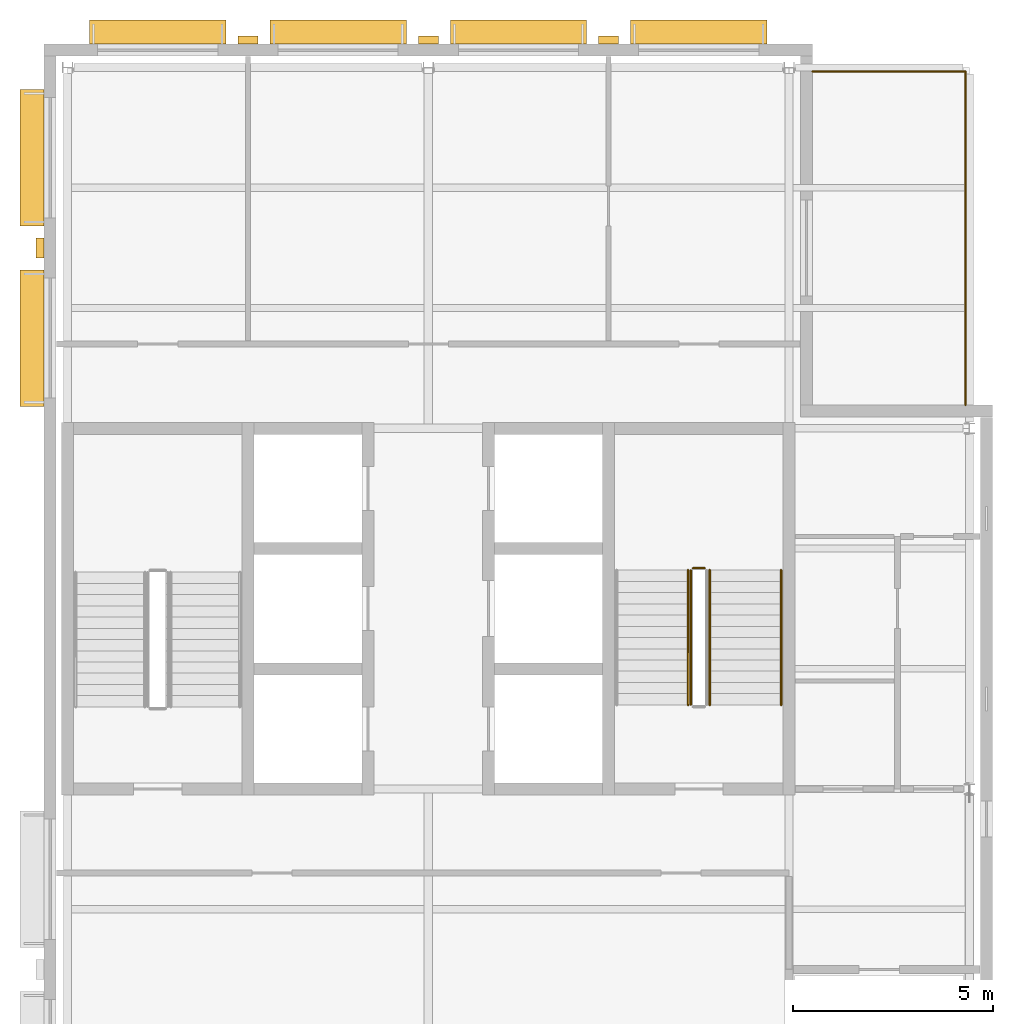
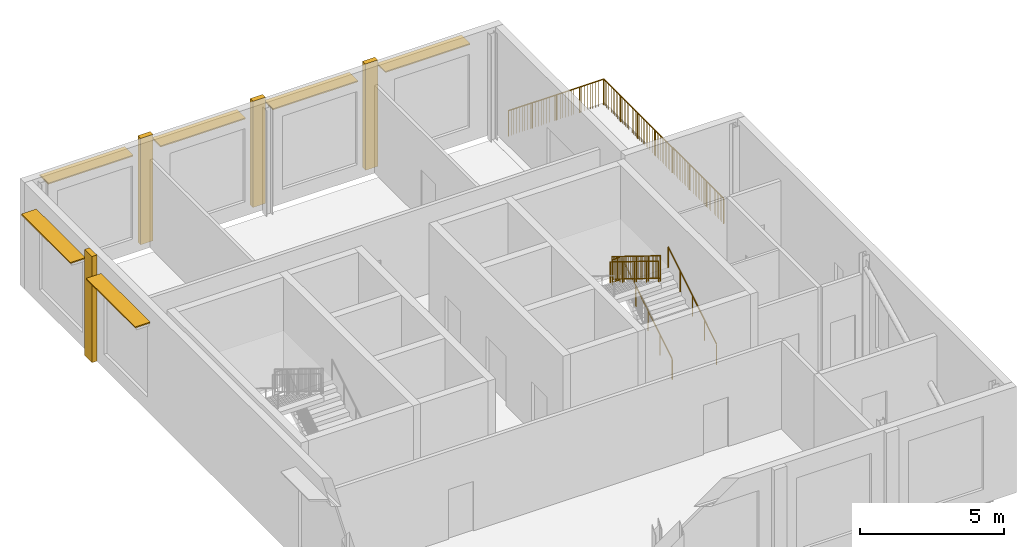
# One storey, part 5 of 5: 6 railings, 6 shading devices, 4 coverings.
"""IFC4 building model written with IfcOpenShell, lengths in metres."""

from ifc_helpers import new_model, si_unit, direction, frame, origin, origin_2d, place, context, subcontext, project, spatial, rectangle, circle, extrude, material, layer, layer_set, type_object, element, save


model = new_model("IFC4")

# Units and contexts
model_context = context("Model", 3, precision=1e-05, world=origin(), true_north=direction((0.0, 1.0)))
body_context = subcontext(model_context, "Body", "Model", "MODEL_VIEW")
ifc_project = project(units=[si_unit("LENGTHUNIT", "METRE"), si_unit("AREAUNIT", "SQUARE_METRE"), si_unit("VOLUMEUNIT", "CUBIC_METRE"), si_unit("PLANEANGLEUNIT", "RADIAN"), si_unit("MASSUNIT", "GRAM", prefix="KILO")], contexts=[model_context])

# Site, building, storey
site_placement = place(None, origin())
site = spatial("IfcSite", under=ifc_project, at=site_placement, CompositionType="ELEMENT")
building_placement = place(site_placement, origin())
building = spatial("IfcBuilding", under=site, at=building_placement, Name="Hortulan Conservatory and Botanical Research Centre", CompositionType="ELEMENT")
storey_placement = place(building_placement, frame((0.0, 0.0, 65.39990234375)))
storey = spatial("IfcBuildingStorey", under=building, at=storey_placement, Name="L15", CompositionType="ELEMENT", Elevation=65.39990234375)

# Shading devices
ifc_material_1 = material(Name="Bronze-finished perforated aluminium", Category="aluminium")
ifc_layer_1 = layer(ifc_material_1, 0.050048828125)
ifc_layer_set_1 = layer_set([ifc_layer_1], Name="Brise-soleil Blade 600x50")
shading_device_type = type_object("IfcShadingDeviceType", Name="Brise-soleil Blade 600x50", PredefinedType="USERDEFINED", material=ifc_layer_set_1)
for number, where, z_axis, x_axis, name in (
    (1, (8.114013671875, 20.25, 3.85009765625), (0.0, 0.0, 1.0), (0.0, 1.0, 0.0), "Brise-soleil blade"),
    (2, (8.114013671875, 24.75, 3.85009765625), (0.0, 0.0, 1.0), (0.0, 1.0, 0.0), "Brise-soleil blade"),
    (3, (11.25, 27.885986328125, 3.85009765625), (0.0, 0.0, 1.0), (1.0, 0.0, 0.0), "Brise-soleil blade"),
    (4, (15.75, 27.885986328125, 3.85009765625), (0.0, 0.0, 1.0), (1.0, 0.0, 0.0), "Brise-soleil blade"),
    (5, (20.25, 27.885986328125, 3.85009765625), (0.0, 0.0, 1.0), (1.0, 0.0, 0.0), "Brise-soleil blade"),
    (6, (24.75, 27.885986328125, 3.85009765625), (0.0, 0.0, 1.0), (1.0, 0.0, 0.0), "Brise-soleil blade"),
):
    element("IfcShadingDevice", number, at=place(storey_placement, frame(where, z_axis=z_axis, x_axis=x_axis)), inside=storey, type_object=shading_device_type, Name=name, ObjectType="Brise-soleil blade", PredefinedType="USERDEFINED", context=body_context, shape_type="SweptSolid", body=[
        extrude(rectangle(XDim=3.39990234375, YDim=0.60009765625, at=origin_2d()), origin(), (0.0, 0.0, 1.0), 0.050048828125),
    ])

# Railings
ifc_material_2 = material(Name="Steel balustrade, bronze-charcoal paint", Category="steel")
railing_type_1 = type_object("IfcRailingType", Name="Stair Guard 1100", PredefinedType="GUARDRAIL", material=ifc_material_2)
railing_1_placement = place(storey_placement, frame((24.89990234375, 14.510009765625, 2.25)))
element("IfcRailing", 7, at=railing_1_placement, inside=storey, type_object=railing_type_1, Name="Guard T2 L15 stair 2", PredefinedType="GUARDRAIL", context=body_context, shape_type="SweptSolid", body=[
    extrude(circle(Radius=0.02392578125, at=origin_2d()), frame((0.0, 0.0, 1.076171875), z_axis=(-1.0, 0.0, 0.0), x_axis=(0.0, -1.0, 0.0)), (0.0, 0.0, 1.0), 0.2998046875),
    extrude(circle(Radius=0.02392578125, at=origin_2d()), frame((0.0, 0.0, 0.1240234375), z_axis=(-1.0, 0.0, 0.0), x_axis=(0.0, -1.0, 0.0)), (0.0, 0.0, 1.0), 0.2998046875),
    extrude(circle(Radius=0.008056640625, at=origin_2d()), frame((-0.099853515625, 0.0, 0.148193359375)), (0.0, 0.0, 1.0), 0.90380859375),
    extrude(circle(Radius=0.008056640625, at=origin_2d()), frame((-0.199951171875, 0.0, 0.148193359375)), (0.0, 0.0, 1.0), 0.90380859375),
    extrude(circle(Radius=0.02099609375, at=origin_2d()), origin(), (0.0, 0.0, 1.0), 1.052001953125),
    extrude(circle(Radius=0.02099609375, at=origin_2d()), frame((-0.2998046875, 0.0, 0.0)), (0.0, 0.0, 1.0), 1.052001953125),
])
railing_2_placement = place(storey_placement, frame((24.550048828125, 14.4599609375, 2.423095703125)))
element("IfcRailing", 8, at=railing_2_placement, inside=storey, type_object=railing_type_1, Name="Guard T2 L15 stair 3", PredefinedType="GUARDRAIL", context=body_context, shape_type="SweptSolid", body=[
    extrude(circle(Radius=0.02392578125, at=origin_2d()), frame((0.0, 0.0, 1.076171875), z_axis=(0.0, -0.850606129759, 0.525803396734), x_axis=(1.0, 0.0, 0.0)), (0.0, 0.0, 1.0), 3.949951171875),
    extrude(circle(Radius=0.02392578125, at=origin_2d()), frame((0.0, 0.0, 0.1240234375), z_axis=(0.0, -0.850606129759, 0.525803396734), x_axis=(1.0, 0.0, 0.0)), (0.0, 0.0, 1.0), 3.949951171875),
    extrude(circle(Radius=0.008056640625, at=origin_2d()), frame((0.0, -0.09326171875, 0.205810546875)), (0.0, 0.0, 1.0), 0.90380859375),
    extrude(circle(Radius=0.008056640625, at=origin_2d()), frame((0.0, -0.186767578125, 0.263671875)), (0.0, 0.0, 1.0), 0.90380859375),
    extrude(circle(Radius=0.008056640625, at=origin_2d()), frame((0.0, -0.280029296875, 0.3212890625)), (0.0, 0.0, 1.0), 0.90380859375),
    extrude(circle(Radius=0.008056640625, at=origin_2d()), frame((0.0, -0.373291015625, 0.37890625)), (0.0, 0.0, 1.0), 0.90380859375),
    extrude(circle(Radius=0.008056640625, at=origin_2d()), frame((0.0, -0.466552734375, 0.436767578125)), (0.0, 0.0, 1.0), 0.90380859375),
    extrude(circle(Radius=0.008056640625, at=origin_2d()), frame((0.0, -0.56005859375, 0.494384765625)), (0.0, 0.0, 1.0), 0.90380859375),
    extrude(circle(Radius=0.008056640625, at=origin_2d()), frame((0.0, -0.6533203125, 0.552001953125)), (0.0, 0.0, 1.0), 0.90380859375),
    extrude(circle(Radius=0.008056640625, at=origin_2d()), frame((0.0, -0.74658203125, 0.609619140625)), (0.0, 0.0, 1.0), 0.90380859375),
    extrude(circle(Radius=0.008056640625, at=origin_2d()), frame((0.0, -0.83984375, 0.66748046875)), (0.0, 0.0, 1.0), 0.90380859375),
    extrude(circle(Radius=0.008056640625, at=origin_2d()), frame((0.0, -0.933349609375, 0.72509765625)), (0.0, 0.0, 1.0), 0.90380859375),
    extrude(circle(Radius=0.008056640625, at=origin_2d()), frame((0.0, -1.026611328125, 0.78271484375)), (0.0, 0.0, 1.0), 0.90380859375),
    extrude(circle(Radius=0.008056640625, at=origin_2d()), frame((0.0, -1.119873046875, 0.840576171875)), (0.0, 0.0, 1.0), 0.90380859375),
    extrude(circle(Radius=0.008056640625, at=origin_2d()), frame((0.0, -1.21337890625, 0.898193359375)), (0.0, 0.0, 1.0), 0.90380859375),
    extrude(circle(Radius=0.008056640625, at=origin_2d()), frame((0.0, -1.306640625, 0.955810546875)), (0.0, 0.0, 1.0), 0.90380859375),
    extrude(circle(Radius=0.008056640625, at=origin_2d()), frame((0.0, -1.39990234375, 1.013671875)), (0.0, 0.0, 1.0), 0.90380859375),
    extrude(circle(Radius=0.008056640625, at=origin_2d()), frame((0.0, -1.4931640625, 1.0712890625)), (0.0, 0.0, 1.0), 0.90380859375),
    extrude(circle(Radius=0.008056640625, at=origin_2d()), frame((0.0, -1.586669921875, 1.12890625)), (0.0, 0.0, 1.0), 0.90380859375),
    extrude(circle(Radius=0.008056640625, at=origin_2d()), frame((0.0, -1.679931640625, 1.1865234375)), (0.0, 0.0, 1.0), 0.90380859375),
    extrude(circle(Radius=0.008056640625, at=origin_2d()), frame((0.0, -1.773193359375, 1.244384765625)), (0.0, 0.0, 1.0), 0.90380859375),
    extrude(circle(Radius=0.008056640625, at=origin_2d()), frame((0.0, -1.86669921875, 1.302001953125)), (0.0, 0.0, 1.0), 0.90380859375),
    extrude(circle(Radius=0.008056640625, at=origin_2d()), frame((0.0, -1.9599609375, 1.359619140625)), (0.0, 0.0, 1.0), 0.90380859375),
    extrude(circle(Radius=0.008056640625, at=origin_2d()), frame((0.0, -2.05322265625, 1.41748046875)), (0.0, 0.0, 1.0), 0.90380859375),
    extrude(circle(Radius=0.008056640625, at=origin_2d()), frame((0.0, -2.146484375, 1.47509765625)), (0.0, 0.0, 1.0), 0.90380859375),
    extrude(circle(Radius=0.008056640625, at=origin_2d()), frame((0.0, -2.239990234375, 1.53271484375)), (0.0, 0.0, 1.0), 0.90380859375),
    extrude(circle(Radius=0.008056640625, at=origin_2d()), frame((0.0, -2.333251953125, 1.590576171875)), (0.0, 0.0, 1.0), 0.90380859375),
    extrude(circle(Radius=0.008056640625, at=origin_2d()), frame((0.0, -2.426513671875, 1.648193359375)), (0.0, 0.0, 1.0), 0.90380859375),
    extrude(circle(Radius=0.008056640625, at=origin_2d()), frame((0.0, -2.52001953125, 1.705810546875)), (0.0, 0.0, 1.0), 0.90380859375),
    extrude(circle(Radius=0.008056640625, at=origin_2d()), frame((0.0, -2.61328125, 1.763671875)), (0.0, 0.0, 1.0), 0.90380859375),
    extrude(circle(Radius=0.008056640625, at=origin_2d()), frame((0.0, -2.70654296875, 1.8212890625)), (0.0, 0.0, 1.0), 0.90380859375),
    extrude(circle(Radius=0.008056640625, at=origin_2d()), frame((0.0, -2.7998046875, 1.87890625)), (0.0, 0.0, 1.0), 0.90380859375),
    extrude(circle(Radius=0.008056640625, at=origin_2d()), frame((0.0, -2.893310546875, 1.9365234375)), (0.0, 0.0, 1.0), 0.90380859375),
    extrude(circle(Radius=0.008056640625, at=origin_2d()), frame((0.0, -2.986572265625, 1.994384765625)), (0.0, 0.0, 1.0), 0.90380859375),
    extrude(circle(Radius=0.008056640625, at=origin_2d()), frame((0.0, -3.079833984375, 2.052001953125)), (0.0, 0.0, 1.0), 0.90380859375),
    extrude(circle(Radius=0.008056640625, at=origin_2d()), frame((0.0, -3.173095703125, 2.109619140625)), (0.0, 0.0, 1.0), 0.90380859375),
    extrude(circle(Radius=0.008056640625, at=origin_2d()), frame((0.0, -3.2666015625, 2.16748046875)), (0.0, 0.0, 1.0), 0.90380859375),
    extrude(circle(Radius=0.02099609375, at=origin_2d()), origin(), (0.0, 0.0, 1.0), 1.052001953125),
    extrude(circle(Radius=0.02099609375, at=origin_2d()), frame((0.0, -0.83984375, 0.519287109375)), (0.0, 0.0, 1.0), 1.052001953125),
    extrude(circle(Radius=0.02099609375, at=origin_2d()), frame((0.0, -1.679931640625, 1.03857421875)), (0.0, 0.0, 1.0), 1.052001953125),
    extrude(circle(Radius=0.02099609375, at=origin_2d()), frame((0.0, -2.52001953125, 1.5576171875)), (0.0, 0.0, 1.0), 1.052001953125),
    extrude(circle(Radius=0.02099609375, at=origin_2d()), frame((0.0, -3.35986328125, 2.076904296875)), (0.0, 0.0, 1.0), 1.052001953125),
])
ifc_material_3 = material(Name="Bronze handrail, polished", Category="metal")
railing_type_2 = type_object("IfcRailingType", Name="Stair Handrail 900", PredefinedType="HANDRAIL", material=ifc_material_3)
for number, where, name in (
    (9, (26.800048828125, 11.10009765625, 0.173095703125), "Handrail T2 L15 stair 1"),
    (10, (25.02001953125, 11.10009765625, 0.173095703125), "Handrail T2 L15 stair 3"),
):
    element("IfcRailing", number, at=place(storey_placement, frame(where)), inside=storey, type_object=railing_type_2, Name=name, PredefinedType="HANDRAIL", context=body_context, shape_type="SweptSolid", body=[
        extrude(circle(Radius=0.02392578125, at=origin_2d()), frame((0.0, 0.0, 0.8759765625), z_axis=(0.0, 0.850606129759, 0.525803396734), x_axis=(-1.0, 0.0, 0.0)), (0.0, 0.0, 1.0), 3.949951171875),
        extrude(circle(Radius=0.02099609375, at=origin_2d()), origin(), (0.0, 0.0, 1.0), 0.851806640625),
        extrude(circle(Radius=0.02099609375, at=origin_2d()), frame((0.0, 0.83984375, 0.519287109375)), (0.0, 0.0, 1.0), 0.851806640625),
        extrude(circle(Radius=0.02099609375, at=origin_2d()), frame((0.0, 1.679931640625, 1.03857421875)), (0.0, 0.0, 1.0), 0.851806640625),
        extrude(circle(Radius=0.02099609375, at=origin_2d()), frame((0.0, 2.52001953125, 1.5576171875)), (0.0, 0.0, 1.0), 0.851806640625),
        extrude(circle(Radius=0.02099609375, at=origin_2d()), frame((0.0, 3.35986328125, 2.076904296875)), (0.0, 0.0, 1.0), 0.851806640625),
    ])
railing_3_placement = place(storey_placement, frame((24.47998046875, 14.4599609375, 2.423095703125)))
element("IfcRailing", 11, at=railing_3_placement, inside=storey, type_object=railing_type_2, Name="Handrail T2 L15 stair 4", PredefinedType="HANDRAIL", context=body_context, shape_type="SweptSolid", body=[
    extrude(circle(Radius=0.02392578125, at=origin_2d()), frame((0.0, 0.0, 0.8759765625), z_axis=(0.0, -0.850606129759, 0.525803396734), x_axis=(1.0, 0.0, 0.0)), (0.0, 0.0, 1.0), 3.949951171875),
    extrude(circle(Radius=0.02099609375, at=origin_2d()), origin(), (0.0, 0.0, 1.0), 0.851806640625),
    extrude(circle(Radius=0.02099609375, at=origin_2d()), frame((0.0, -0.83984375, 0.519287109375)), (0.0, 0.0, 1.0), 0.851806640625),
    extrude(circle(Radius=0.02099609375, at=origin_2d()), frame((0.0, -1.679931640625, 1.03857421875)), (0.0, 0.0, 1.0), 0.851806640625),
    extrude(circle(Radius=0.02099609375, at=origin_2d()), frame((0.0, -2.52001953125, 1.5576171875)), (0.0, 0.0, 1.0), 0.851806640625),
    extrude(circle(Radius=0.02099609375, at=origin_2d()), frame((0.0, -3.35986328125, 2.076904296875)), (0.0, 0.0, 1.0), 0.851806640625),
])

# Coverings
ifc_material_4 = material(Name="Verdigris copper-green zinc cladding on lightweight framing", Category="metal")
ifc_layer_2 = layer(ifc_material_4, 0.199951171875)
ifc_layer_set_2 = layer_set([ifc_layer_2], Name="Verdigris Zinc Pilaster 500x200")
covering_type = type_object("IfcCoveringType", Name="Verdigris Zinc Pilaster 500x200", PredefinedType="CLADDING", material=ifc_layer_set_2)
for number, where, z_axis, x_axis, name in (
    (12, (8.31396484375, 22.5, 0.0), (0.0, 0.0, 1.0), (0.0, 1.0, 0.0), "Pier"),
    (13, (13.5, 27.68603515625, 0.0), (0.0, 0.0, 1.0), (1.0, 0.0, 0.0), "Pier"),
    (14, (18.0, 27.68603515625, 0.0), (0.0, 0.0, 1.0), (1.0, 0.0, 0.0), "Pier"),
    (15, (22.5, 27.68603515625, 0.0), (0.0, 0.0, 1.0), (1.0, 0.0, 0.0), "Pier"),
):
    element("IfcCovering", number, at=place(storey_placement, frame(where, z_axis=z_axis, x_axis=x_axis)), inside=storey, type_object=covering_type, Name=name, PredefinedType="CLADDING", context=body_context, shape_type="SweptSolid", body=[
        extrude(rectangle(XDim=0.5, YDim=0.199951171875, at=origin_2d()), origin(), (0.0, 0.0, 1.0), 4.5),
    ])

# Railing
ifc_material_5 = material(Name="Wrought iron guard, bronze-charcoal paint", Category="metal")
railing_type_3 = type_object("IfcRailingType", Name="Wrought Iron Guard 1100", PredefinedType="GUARDRAIL", material=ifc_material_5)
railing_4_placement = place(storey_placement, frame((31.39990234375, 18.5859375, 0.0)))
element("IfcRailing", 16, at=railing_4_placement, inside=storey, type_object=railing_type_3, Name="North-east terrace guard", PredefinedType="GUARDRAIL", context=body_context, shape_type="SweptSolid", body=[
    extrude(circle(Radius=0.02490234375, at=origin_2d()), frame((0.0, 0.0, 1.0751953125), z_axis=(0.0, 1.0, 0.0), x_axis=(-1.0, 0.0, 0.0)), (0.0, 0.0, 1.0), 8.31396484375),
    extrude(circle(Radius=0.008056640625, at=origin_2d()), frame((0.0, 0.109375, 0.0)), (0.0, 0.0, 1.0), 1.050048828125),
    extrude(circle(Radius=0.008056640625, at=origin_2d()), frame((0.0, 0.21875, 0.0)), (0.0, 0.0, 1.0), 1.050048828125),
    extrude(circle(Radius=0.008056640625, at=origin_2d()), frame((0.0, 0.328125, 0.0)), (0.0, 0.0, 1.0), 1.050048828125),
    extrude(circle(Radius=0.008056640625, at=origin_2d()), frame((0.0, 0.4375, 0.0)), (0.0, 0.0, 1.0), 1.050048828125),
    extrude(circle(Radius=0.008056640625, at=origin_2d()), frame((0.0, 0.546875, 0.0)), (0.0, 0.0, 1.0), 1.050048828125),
    extrude(circle(Radius=0.008056640625, at=origin_2d()), frame((0.0, 0.65625, 0.0)), (0.0, 0.0, 1.0), 1.050048828125),
    extrude(circle(Radius=0.008056640625, at=origin_2d()), frame((0.0, 0.765869140625, 0.0)), (0.0, 0.0, 1.0), 1.050048828125),
    extrude(circle(Radius=0.008056640625, at=origin_2d()), frame((0.0, 0.875244140625, 0.0)), (0.0, 0.0, 1.0), 1.050048828125),
    extrude(circle(Radius=0.008056640625, at=origin_2d()), frame((0.0, 0.984619140625, 0.0)), (0.0, 0.0, 1.0), 1.050048828125),
    extrude(circle(Radius=0.008056640625, at=origin_2d()), frame((0.0, 1.093994140625, 0.0)), (0.0, 0.0, 1.0), 1.050048828125),
    extrude(circle(Radius=0.008056640625, at=origin_2d()), frame((0.0, 1.203369140625, 0.0)), (0.0, 0.0, 1.0), 1.050048828125),
    extrude(circle(Radius=0.008056640625, at=origin_2d()), frame((0.0, 1.312744140625, 0.0)), (0.0, 0.0, 1.0), 1.050048828125),
    extrude(circle(Radius=0.008056640625, at=origin_2d()), frame((0.0, 1.422119140625, 0.0)), (0.0, 0.0, 1.0), 1.050048828125),
    extrude(circle(Radius=0.008056640625, at=origin_2d()), frame((0.0, 1.531494140625, 0.0)), (0.0, 0.0, 1.0), 1.050048828125),
    extrude(circle(Radius=0.008056640625, at=origin_2d()), frame((0.0, 1.640869140625, 0.0)), (0.0, 0.0, 1.0), 1.050048828125),
    extrude(circle(Radius=0.008056640625, at=origin_2d()), frame((0.0, 1.750244140625, 0.0)), (0.0, 0.0, 1.0), 1.050048828125),
    extrude(circle(Radius=0.008056640625, at=origin_2d()), frame((0.0, 1.859619140625, 0.0)), (0.0, 0.0, 1.0), 1.050048828125),
    extrude(circle(Radius=0.008056640625, at=origin_2d()), frame((0.0, 1.968994140625, 0.0)), (0.0, 0.0, 1.0), 1.050048828125),
    extrude(circle(Radius=0.008056640625, at=origin_2d()), frame((0.0, 2.07861328125, 0.0)), (0.0, 0.0, 1.0), 1.050048828125),
    extrude(circle(Radius=0.008056640625, at=origin_2d()), frame((0.0, 2.18798828125, 0.0)), (0.0, 0.0, 1.0), 1.050048828125),
    extrude(circle(Radius=0.008056640625, at=origin_2d()), frame((0.0, 2.29736328125, 0.0)), (0.0, 0.0, 1.0), 1.050048828125),
    extrude(circle(Radius=0.008056640625, at=origin_2d()), frame((0.0, 2.40673828125, 0.0)), (0.0, 0.0, 1.0), 1.050048828125),
    extrude(circle(Radius=0.008056640625, at=origin_2d()), frame((0.0, 2.51611328125, 0.0)), (0.0, 0.0, 1.0), 1.050048828125),
    extrude(circle(Radius=0.008056640625, at=origin_2d()), frame((0.0, 2.62548828125, 0.0)), (0.0, 0.0, 1.0), 1.050048828125),
    extrude(circle(Radius=0.008056640625, at=origin_2d()), frame((0.0, 2.73486328125, 0.0)), (0.0, 0.0, 1.0), 1.050048828125),
    extrude(circle(Radius=0.008056640625, at=origin_2d()), frame((0.0, 2.84423828125, 0.0)), (0.0, 0.0, 1.0), 1.050048828125),
    extrude(circle(Radius=0.008056640625, at=origin_2d()), frame((0.0, 2.95361328125, 0.0)), (0.0, 0.0, 1.0), 1.050048828125),
    extrude(circle(Radius=0.008056640625, at=origin_2d()), frame((0.0, 3.06298828125, 0.0)), (0.0, 0.0, 1.0), 1.050048828125),
    extrude(circle(Radius=0.008056640625, at=origin_2d()), frame((0.0, 3.17236328125, 0.0)), (0.0, 0.0, 1.0), 1.050048828125),
    extrude(circle(Radius=0.008056640625, at=origin_2d()), frame((0.0, 3.28173828125, 0.0)), (0.0, 0.0, 1.0), 1.050048828125),
    extrude(circle(Radius=0.008056640625, at=origin_2d()), frame((0.0, 3.39111328125, 0.0)), (0.0, 0.0, 1.0), 1.050048828125),
    extrude(circle(Radius=0.008056640625, at=origin_2d()), frame((0.0, 3.500732421875, 0.0)), (0.0, 0.0, 1.0), 1.050048828125),
    extrude(circle(Radius=0.008056640625, at=origin_2d()), frame((0.0, 3.610107421875, 0.0)), (0.0, 0.0, 1.0), 1.050048828125),
    extrude(circle(Radius=0.008056640625, at=origin_2d()), frame((0.0, 3.719482421875, 0.0)), (0.0, 0.0, 1.0), 1.050048828125),
    extrude(circle(Radius=0.008056640625, at=origin_2d()), frame((0.0, 3.828857421875, 0.0)), (0.0, 0.0, 1.0), 1.050048828125),
    extrude(circle(Radius=0.008056640625, at=origin_2d()), frame((0.0, 3.938232421875, 0.0)), (0.0, 0.0, 1.0), 1.050048828125),
    extrude(circle(Radius=0.008056640625, at=origin_2d()), frame((0.0, 4.047607421875, 0.0)), (0.0, 0.0, 1.0), 1.050048828125),
    extrude(circle(Radius=0.008056640625, at=origin_2d()), frame((0.0, 4.156982421875, 0.0)), (0.0, 0.0, 1.0), 1.050048828125),
    extrude(circle(Radius=0.008056640625, at=origin_2d()), frame((0.0, 4.266357421875, 0.0)), (0.0, 0.0, 1.0), 1.050048828125),
    extrude(circle(Radius=0.008056640625, at=origin_2d()), frame((0.0, 4.375732421875, 0.0)), (0.0, 0.0, 1.0), 1.050048828125),
    extrude(circle(Radius=0.008056640625, at=origin_2d()), frame((0.0, 4.485107421875, 0.0)), (0.0, 0.0, 1.0), 1.050048828125),
    extrude(circle(Radius=0.008056640625, at=origin_2d()), frame((0.0, 4.594482421875, 0.0)), (0.0, 0.0, 1.0), 1.050048828125),
    extrude(circle(Radius=0.008056640625, at=origin_2d()), frame((0.0, 4.703857421875, 0.0)), (0.0, 0.0, 1.0), 1.050048828125),
    extrude(circle(Radius=0.008056640625, at=origin_2d()), frame((0.0, 4.813232421875, 0.0)), (0.0, 0.0, 1.0), 1.050048828125),
    extrude(circle(Radius=0.008056640625, at=origin_2d()), frame((0.0, 4.9228515625, 0.0)), (0.0, 0.0, 1.0), 1.050048828125),
    extrude(circle(Radius=0.008056640625, at=origin_2d()), frame((0.0, 5.0322265625, 0.0)), (0.0, 0.0, 1.0), 1.050048828125),
    extrude(circle(Radius=0.008056640625, at=origin_2d()), frame((0.0, 5.1416015625, 0.0)), (0.0, 0.0, 1.0), 1.050048828125),
    extrude(circle(Radius=0.008056640625, at=origin_2d()), frame((0.0, 5.2509765625, 0.0)), (0.0, 0.0, 1.0), 1.050048828125),
    extrude(circle(Radius=0.008056640625, at=origin_2d()), frame((0.0, 5.3603515625, 0.0)), (0.0, 0.0, 1.0), 1.050048828125),
    extrude(circle(Radius=0.008056640625, at=origin_2d()), frame((0.0, 5.4697265625, 0.0)), (0.0, 0.0, 1.0), 1.050048828125),
    extrude(circle(Radius=0.008056640625, at=origin_2d()), frame((0.0, 5.5791015625, 0.0)), (0.0, 0.0, 1.0), 1.050048828125),
    extrude(circle(Radius=0.008056640625, at=origin_2d()), frame((0.0, 5.6884765625, 0.0)), (0.0, 0.0, 1.0), 1.050048828125),
    extrude(circle(Radius=0.008056640625, at=origin_2d()), frame((0.0, 5.7978515625, 0.0)), (0.0, 0.0, 1.0), 1.050048828125),
    extrude(circle(Radius=0.008056640625, at=origin_2d()), frame((0.0, 5.9072265625, 0.0)), (0.0, 0.0, 1.0), 1.050048828125),
    extrude(circle(Radius=0.008056640625, at=origin_2d()), frame((0.0, 6.0166015625, 0.0)), (0.0, 0.0, 1.0), 1.050048828125),
    extrude(circle(Radius=0.008056640625, at=origin_2d()), frame((0.0, 6.1259765625, 0.0)), (0.0, 0.0, 1.0), 1.050048828125),
    extrude(circle(Radius=0.008056640625, at=origin_2d()), frame((0.0, 6.2353515625, 0.0)), (0.0, 0.0, 1.0), 1.050048828125),
    extrude(circle(Radius=0.008056640625, at=origin_2d()), frame((0.0, 6.344970703125, 0.0)), (0.0, 0.0, 1.0), 1.050048828125),
    extrude(circle(Radius=0.008056640625, at=origin_2d()), frame((0.0, 6.454345703125, 0.0)), (0.0, 0.0, 1.0), 1.050048828125),
    extrude(circle(Radius=0.008056640625, at=origin_2d()), frame((0.0, 6.563720703125, 0.0)), (0.0, 0.0, 1.0), 1.050048828125),
    extrude(circle(Radius=0.008056640625, at=origin_2d()), frame((0.0, 6.673095703125, 0.0)), (0.0, 0.0, 1.0), 1.050048828125),
    extrude(circle(Radius=0.008056640625, at=origin_2d()), frame((0.0, 6.782470703125, 0.0)), (0.0, 0.0, 1.0), 1.050048828125),
    extrude(circle(Radius=0.008056640625, at=origin_2d()), frame((0.0, 6.891845703125, 0.0)), (0.0, 0.0, 1.0), 1.050048828125),
    extrude(circle(Radius=0.008056640625, at=origin_2d()), frame((0.0, 7.001220703125, 0.0)), (0.0, 0.0, 1.0), 1.050048828125),
    extrude(circle(Radius=0.008056640625, at=origin_2d()), frame((0.0, 7.110595703125, 0.0)), (0.0, 0.0, 1.0), 1.050048828125),
    extrude(circle(Radius=0.008056640625, at=origin_2d()), frame((0.0, 7.219970703125, 0.0)), (0.0, 0.0, 1.0), 1.050048828125),
    extrude(circle(Radius=0.008056640625, at=origin_2d()), frame((0.0, 7.329345703125, 0.0)), (0.0, 0.0, 1.0), 1.050048828125),
    extrude(circle(Radius=0.008056640625, at=origin_2d()), frame((0.0, 7.438720703125, 0.0)), (0.0, 0.0, 1.0), 1.050048828125),
    extrude(circle(Radius=0.008056640625, at=origin_2d()), frame((0.0, 7.548095703125, 0.0)), (0.0, 0.0, 1.0), 1.050048828125),
    extrude(circle(Radius=0.008056640625, at=origin_2d()), frame((0.0, 7.65771484375, 0.0)), (0.0, 0.0, 1.0), 1.050048828125),
    extrude(circle(Radius=0.008056640625, at=origin_2d()), frame((0.0, 7.76708984375, 0.0)), (0.0, 0.0, 1.0), 1.050048828125),
    extrude(circle(Radius=0.008056640625, at=origin_2d()), frame((0.0, 7.87646484375, 0.0)), (0.0, 0.0, 1.0), 1.050048828125),
    extrude(circle(Radius=0.008056640625, at=origin_2d()), frame((0.0, 7.98583984375, 0.0)), (0.0, 0.0, 1.0), 1.050048828125),
    extrude(circle(Radius=0.008056640625, at=origin_2d()), frame((0.0, 8.09521484375, 0.0)), (0.0, 0.0, 1.0), 1.050048828125),
    extrude(circle(Radius=0.008056640625, at=origin_2d()), frame((0.0, 8.20458984375, 0.0)), (0.0, 0.0, 1.0), 1.050048828125),
    extrude(circle(Radius=0.02490234375, at=origin_2d()), frame((0.0, 8.31396484375, 1.0751953125), z_axis=(-1.0, 0.0, 0.0), x_axis=(0.0, -1.0, 0.0)), (0.0, 0.0, 1.0), 3.81396484375),
    extrude(circle(Radius=0.008056640625, at=origin_2d()), frame((-0.10888671875, 8.31396484375, 0.0)), (0.0, 0.0, 1.0), 1.050048828125),
    extrude(circle(Radius=0.008056640625, at=origin_2d()), frame((-0.218017578125, 8.31396484375, 0.0)), (0.0, 0.0, 1.0), 1.050048828125),
    extrude(circle(Radius=0.008056640625, at=origin_2d()), frame((-0.326904296875, 8.31396484375, 0.0)), (0.0, 0.0, 1.0), 1.050048828125),
    extrude(circle(Radius=0.008056640625, at=origin_2d()), frame((-0.435791015625, 8.31396484375, 0.0)), (0.0, 0.0, 1.0), 1.050048828125),
    extrude(circle(Radius=0.008056640625, at=origin_2d()), frame((-0.544921875, 8.31396484375, 0.0)), (0.0, 0.0, 1.0), 1.050048828125),
    extrude(circle(Radius=0.008056640625, at=origin_2d()), frame((-0.65380859375, 8.31396484375, 0.0)), (0.0, 0.0, 1.0), 1.050048828125),
    extrude(circle(Radius=0.008056640625, at=origin_2d()), frame((-0.7626953125, 8.31396484375, 0.0)), (0.0, 0.0, 1.0), 1.050048828125),
    extrude(circle(Radius=0.008056640625, at=origin_2d()), frame((-0.871826171875, 8.31396484375, 0.0)), (0.0, 0.0, 1.0), 1.050048828125),
    extrude(circle(Radius=0.008056640625, at=origin_2d()), frame((-0.980712890625, 8.31396484375, 0.0)), (0.0, 0.0, 1.0), 1.050048828125),
    extrude(circle(Radius=0.008056640625, at=origin_2d()), frame((-1.089599609375, 8.31396484375, 0.0)), (0.0, 0.0, 1.0), 1.050048828125),
    extrude(circle(Radius=0.008056640625, at=origin_2d()), frame((-1.19873046875, 8.31396484375, 0.0)), (0.0, 0.0, 1.0), 1.050048828125),
    extrude(circle(Radius=0.008056640625, at=origin_2d()), frame((-1.3076171875, 8.31396484375, 0.0)), (0.0, 0.0, 1.0), 1.050048828125),
    extrude(circle(Radius=0.008056640625, at=origin_2d()), frame((-1.41650390625, 8.31396484375, 0.0)), (0.0, 0.0, 1.0), 1.050048828125),
    extrude(circle(Radius=0.008056640625, at=origin_2d()), frame((-1.525634765625, 8.31396484375, 0.0)), (0.0, 0.0, 1.0), 1.050048828125),
    extrude(circle(Radius=0.008056640625, at=origin_2d()), frame((-1.634521484375, 8.31396484375, 0.0)), (0.0, 0.0, 1.0), 1.050048828125),
    extrude(circle(Radius=0.008056640625, at=origin_2d()), frame((-1.743408203125, 8.31396484375, 0.0)), (0.0, 0.0, 1.0), 1.050048828125),
    extrude(circle(Radius=0.008056640625, at=origin_2d()), frame((-1.8525390625, 8.31396484375, 0.0)), (0.0, 0.0, 1.0), 1.050048828125),
    extrude(circle(Radius=0.008056640625, at=origin_2d()), frame((-1.96142578125, 8.31396484375, 0.0)), (0.0, 0.0, 1.0), 1.050048828125),
    extrude(circle(Radius=0.008056640625, at=origin_2d()), frame((-2.070556640625, 8.31396484375, 0.0)), (0.0, 0.0, 1.0), 1.050048828125),
    extrude(circle(Radius=0.008056640625, at=origin_2d()), frame((-2.179443359375, 8.31396484375, 0.0)), (0.0, 0.0, 1.0), 1.050048828125),
    extrude(circle(Radius=0.008056640625, at=origin_2d()), frame((-2.288330078125, 8.31396484375, 0.0)), (0.0, 0.0, 1.0), 1.050048828125),
    extrude(circle(Radius=0.008056640625, at=origin_2d()), frame((-2.3974609375, 8.31396484375, 0.0)), (0.0, 0.0, 1.0), 1.050048828125),
    extrude(circle(Radius=0.008056640625, at=origin_2d()), frame((-2.50634765625, 8.31396484375, 0.0)), (0.0, 0.0, 1.0), 1.050048828125),
    extrude(circle(Radius=0.008056640625, at=origin_2d()), frame((-2.615234375, 8.31396484375, 0.0)), (0.0, 0.0, 1.0), 1.050048828125),
    extrude(circle(Radius=0.008056640625, at=origin_2d()), frame((-2.724365234375, 8.31396484375, 0.0)), (0.0, 0.0, 1.0), 1.050048828125),
    extrude(circle(Radius=0.008056640625, at=origin_2d()), frame((-2.833251953125, 8.31396484375, 0.0)), (0.0, 0.0, 1.0), 1.050048828125),
    extrude(circle(Radius=0.008056640625, at=origin_2d()), frame((-2.942138671875, 8.31396484375, 0.0)), (0.0, 0.0, 1.0), 1.050048828125),
    extrude(circle(Radius=0.008056640625, at=origin_2d()), frame((-3.05126953125, 8.31396484375, 0.0)), (0.0, 0.0, 1.0), 1.050048828125),
    extrude(circle(Radius=0.008056640625, at=origin_2d()), frame((-3.16015625, 8.31396484375, 0.0)), (0.0, 0.0, 1.0), 1.050048828125),
    extrude(circle(Radius=0.008056640625, at=origin_2d()), frame((-3.26904296875, 8.31396484375, 0.0)), (0.0, 0.0, 1.0), 1.050048828125),
    extrude(circle(Radius=0.008056640625, at=origin_2d()), frame((-3.378173828125, 8.31396484375, 0.0)), (0.0, 0.0, 1.0), 1.050048828125),
    extrude(circle(Radius=0.008056640625, at=origin_2d()), frame((-3.487060546875, 8.31396484375, 0.0)), (0.0, 0.0, 1.0), 1.050048828125),
    extrude(circle(Radius=0.008056640625, at=origin_2d()), frame((-3.595947265625, 8.31396484375, 0.0)), (0.0, 0.0, 1.0), 1.050048828125),
    extrude(circle(Radius=0.008056640625, at=origin_2d()), frame((-3.705078125, 8.31396484375, 0.0)), (0.0, 0.0, 1.0), 1.050048828125),
    extrude(circle(Radius=0.02490234375, at=origin_2d()), origin(), (0.0, 0.0, 1.0), 1.050048828125),
    extrude(circle(Radius=0.02490234375, at=origin_2d()), frame((0.0, 1.187744140625, 0.0)), (0.0, 0.0, 1.0), 1.050048828125),
    extrude(circle(Radius=0.02490234375, at=origin_2d()), frame((0.0, 2.37548828125, 0.0)), (0.0, 0.0, 1.0), 1.050048828125),
    extrude(circle(Radius=0.02490234375, at=origin_2d()), frame((0.0, 3.563232421875, 0.0)), (0.0, 0.0, 1.0), 1.050048828125),
    extrude(circle(Radius=0.02490234375, at=origin_2d()), frame((0.0, 4.750732421875, 0.0)), (0.0, 0.0, 1.0), 1.050048828125),
    extrude(circle(Radius=0.02490234375, at=origin_2d()), frame((0.0, 5.9384765625, 0.0)), (0.0, 0.0, 1.0), 1.050048828125),
    extrude(circle(Radius=0.02490234375, at=origin_2d()), frame((0.0, 7.126220703125, 0.0)), (0.0, 0.0, 1.0), 1.050048828125),
    extrude(circle(Radius=0.02490234375, at=origin_2d()), frame((0.0, 8.31396484375, 0.0)), (0.0, 0.0, 1.0), 1.050048828125),
    extrude(circle(Radius=0.02490234375, at=origin_2d()), frame((-0.95361328125, 8.31396484375, 0.0)), (0.0, 0.0, 1.0), 1.050048828125),
    extrude(circle(Radius=0.02490234375, at=origin_2d()), frame((-1.906982421875, 8.31396484375, 0.0)), (0.0, 0.0, 1.0), 1.050048828125),
    extrude(circle(Radius=0.02490234375, at=origin_2d()), frame((-2.8603515625, 8.31396484375, 0.0)), (0.0, 0.0, 1.0), 1.050048828125),
    extrude(circle(Radius=0.02490234375, at=origin_2d()), frame((-3.81396484375, 8.31396484375, 0.0)), (0.0, 0.0, 1.0), 1.050048828125),
])

save(model, "model.ifc")
